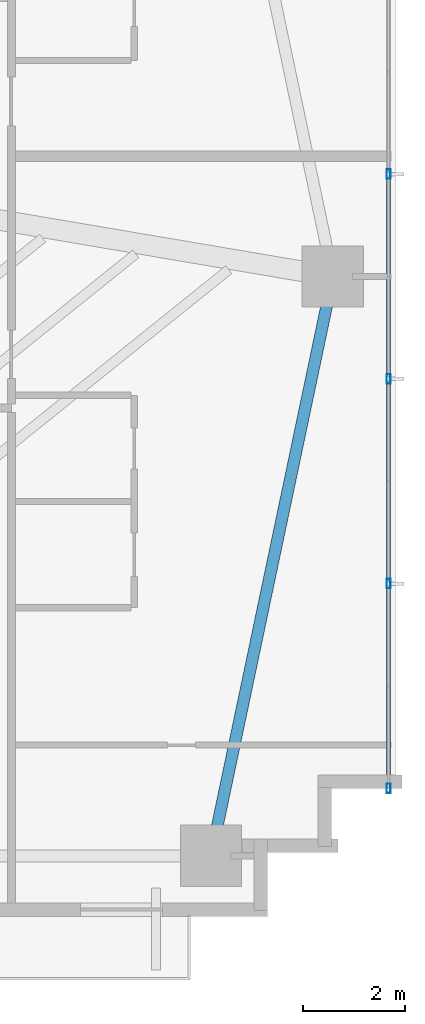
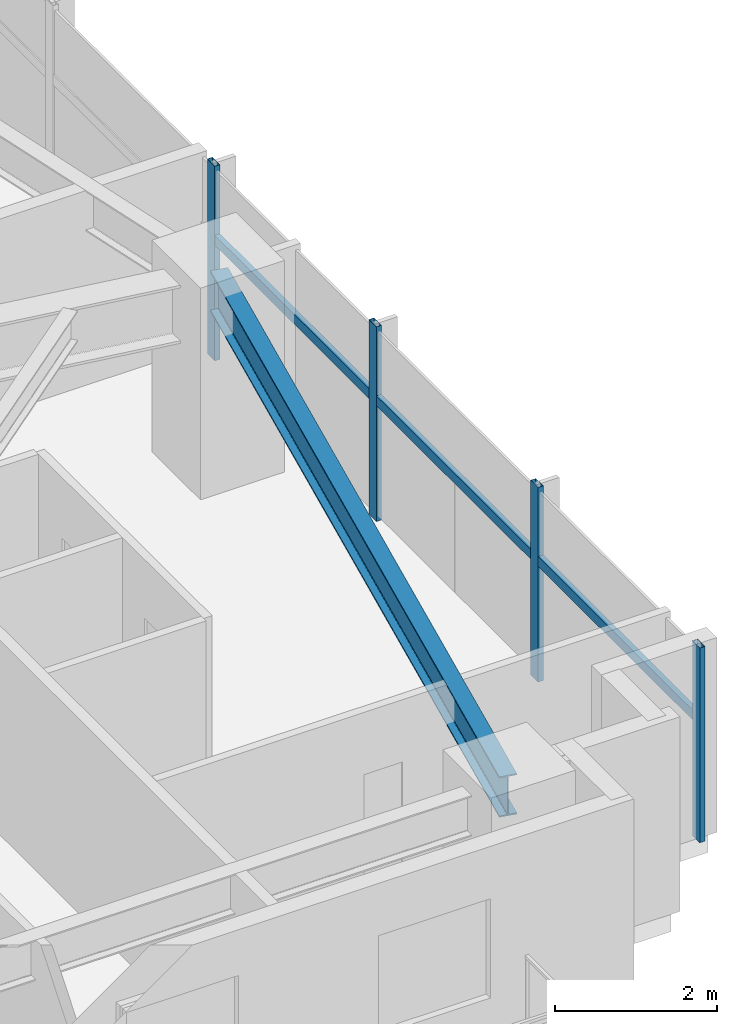
# One storey, part 14 of 25: 7 members, 1 beam, 1 element without a shape of its own.
"""IFC4 building model written with IfcOpenShell, lengths in metres."""

import ifcopenshell
import ifcopenshell.guid

model = None  # the IFC model being written
_history = None  # IfcOwnerHistory: only IFC2X3 demands one
_inside = {}  # id of a spatial element -> (the spatial element, [elements in it])
_under = {}  # id of a project, library or spatial element -> (it, [spatial elements below it])
_declared = {}  # id of a project -> (the project, [libraries it declares])
_typed = {}  # id of a type object -> (the type object, [elements of that type])
_made_of = {}  # id of a material, layer set ... -> (it, [elements and type objects made of it])


def new_model(schema):
    """Start an empty IFC model of exactly this schema.

    Asked for "IFC4X3", IfcOpenShell would pick the latest addendum, in which some entities
    have other attributes; the version numbers below select the first issue.
    IFC2X3 requires an IfcOwnerHistory on every rooted entity: one is made here for all.
    """
    global model, _history
    if schema == "IFC4X3":
        model = ifcopenshell.file(schema_version=(4, 3, 0, 0))
    else:
        model = ifcopenshell.file(schema=schema)
    _inside.clear()
    _under.clear()
    _declared.clear()
    _typed.clear()
    _made_of.clear()
    _history = None
    if model.schema == "IFC2X3":
        org = make("IfcOrganization", Name="unknown")
        user = make(
            "IfcPersonAndOrganization",
            ThePerson=make("IfcPerson", FamilyName="unknown"),
            TheOrganization=org,
        )
        app = make(
            "IfcApplication",
            ApplicationDeveloper=org,
            Version="unknown",
            ApplicationFullName="unknown",
            ApplicationIdentifier="unknown",
        )
        _history = make(
            "IfcOwnerHistory",
            OwningUser=user,
            OwningApplication=app,
            ChangeAction="ADDED",
            CreationDate=0,
        )
    return model


def make(cls, **values):
    """One entity of the class cls with the attributes given. An attribute that is None is left unset."""
    return model.create_entity(
        cls, **{name: value for name, value in values.items() if value is not None}
    )


def rooted(cls, **values):
    """An entity with a GlobalId (a new one), such as an element, a storey or a relation."""
    return make(cls, GlobalId=ifcopenshell.guid.new(), OwnerHistory=_history, **values)


def si_unit(unit_type, name, prefix=None):
    """IfcSIUnit, for example si_unit("LENGTHUNIT", "METRE", prefix="MILLI")."""
    return make("IfcSIUnit", UnitType=unit_type, Prefix=prefix, Name=name)


def assignment(units):
    """IfcUnitAssignment: the units of a project."""
    return None if units is None else make("IfcUnitAssignment", Units=units)


def point(xyz):
    """IfcCartesianPoint."""
    return None if xyz is None else make("IfcCartesianPoint", Coordinates=xyz)


def direction(xyz):
    """IfcDirection."""
    return None if xyz is None else make("IfcDirection", DirectionRatios=xyz)


def frame(location, z_axis=None, x_axis=None):
    """IfcAxis2Placement3D, a coordinate frame: its origin and axes. An axis left out is left unset."""
    return make(
        "IfcAxis2Placement3D",
        Location=point(location),
        Axis=direction(z_axis),
        RefDirection=direction(x_axis),
    )


def frame_2d(location, x_axis=None):
    """IfcAxis2Placement2D, a coordinate frame in the plane: its origin and x axis."""
    return make(
        "IfcAxis2Placement2D", Location=point(location), RefDirection=direction(x_axis)
    )


def origin():
    """The frame at (0, 0, 0) with its axes left unset."""
    return frame((0.0, 0.0, 0.0))


def origin_2d():
    """The frame at (0, 0) in the plane with its x axis left unset."""
    return frame_2d((0.0, 0.0))


def place(relative_to, where):
    """IfcLocalPlacement: puts the frame where relative to a parent placement (None: the world)."""
    return make(
        "IfcLocalPlacement", PlacementRelTo=relative_to, RelativePlacement=where
    )


def context(
    kind, dimensions, precision=None, world=None, true_north=None, identifier=None
):
    """IfcGeometricRepresentationContext, for example the 3D "Model" context."""
    return make(
        "IfcGeometricRepresentationContext",
        ContextIdentifier=identifier,
        ContextType=kind,
        CoordinateSpaceDimension=dimensions,
        Precision=precision,
        WorldCoordinateSystem=world,
        TrueNorth=true_north,
    )


def subcontext(parent, identifier, kind, view, scale=None):
    """IfcGeometricRepresentationSubContext, for example "Body" below "Model"."""
    return make(
        "IfcGeometricRepresentationSubContext",
        ContextIdentifier=identifier,
        ContextType=kind,
        ParentContext=parent,
        TargetScale=scale,
        TargetView=view,
    )


def project(units=None, contexts=None):
    """IfcProject with its units and contexts."""
    return rooted(
        "IfcProject",
        Name="project",
        RepresentationContexts=contexts,
        UnitsInContext=assignment(units),
    )


def spatial(cls, under=None, at=None, **own):
    """A site, building, storey or space (cls), placed at a placement, below another one or the project."""
    s = rooted(cls, ObjectPlacement=at, **own)
    if under is not None:
        _under.setdefault(under.id(), (under, []))[1].append(s)
    return s


def profile(cls, at=None, kind="AREA", **sizes):
    """A parametric profile (cls). Its sizes go by their IFC names, for example OverallWidth=200.0."""
    return make(cls, ProfileType=kind, Position=at, **sizes)


def hollow_rectangle(**sizes):
    """IfcRectangleHollowProfileDef."""
    return profile("IfcRectangleHollowProfileDef", **sizes)


def i_section(**sizes):
    """IfcIShapeProfileDef."""
    return profile("IfcIShapeProfileDef", **sizes)


def extrude(swept, where, along, depth):
    """IfcExtrudedAreaSolid: the profile swept, set in the frame where, extruded along a direction by depth."""
    return make(
        "IfcExtrudedAreaSolid",
        SweptArea=swept,
        Position=where,
        ExtrudedDirection=direction(along),
        Depth=depth,
    )


def shape(context_of_items, identifier, shape_type, items):
    """IfcShapeRepresentation: the items that make up one representation, for example the "Body"."""
    return make(
        "IfcShapeRepresentation",
        ContextOfItems=context_of_items,
        RepresentationIdentifier=identifier,
        RepresentationType=shape_type,
        Items=items,
    )


def source(mapping_origin, context_of_items, identifier, shape_type, items):
    """IfcRepresentationMap: a shape defined once, which mapped items show again and again."""
    return make(
        "IfcRepresentationMap",
        MappingOrigin=mapping_origin,
        MappedRepresentation=shape(context_of_items, identifier, shape_type, items),
    )


def transform(
    local_origin,
    x_axis=None,
    y_axis=None,
    z_axis=None,
    scale=None,
    scale2=None,
    scale3=None,
    uniform=True,
):
    """IfcCartesianTransformationOperator3D, or its non-uniform kind. x_axis, y_axis, z_axis: its Axis1, 2, 3."""
    if uniform:
        return make(
            "IfcCartesianTransformationOperator3D",
            Axis1=direction(x_axis),
            Axis2=direction(y_axis),
            LocalOrigin=point(local_origin),
            Scale=scale,
            Axis3=direction(z_axis),
        )
    return make(
        "IfcCartesianTransformationOperator3DnonUniform",
        Axis1=direction(x_axis),
        Axis2=direction(y_axis),
        LocalOrigin=point(local_origin),
        Scale=scale,
        Axis3=direction(z_axis),
        Scale2=scale2,
        Scale3=scale3,
    )


def mapped(mapping_source, mapping_target):
    """IfcMappedItem: shows the shape of a source again, moved by a transform."""
    return make(
        "IfcMappedItem", MappingSource=mapping_source, MappingTarget=mapping_target
    )


def material(Name=None, Category=None):
    """IfcMaterial."""
    return make("IfcMaterial", Name=Name, Category=Category)


def material_profile(
    of_material, cross_section, Name=None, Category=None, Priority=None
):
    """IfcMaterialProfile: a cross section and its material."""
    return make(
        "IfcMaterialProfile",
        Name=Name,
        Material=of_material,
        Profile=cross_section,
        Priority=Priority,
        Category=Category,
    )


def profile_set(profiles, Name=None, composite=None):
    """IfcMaterialProfileSet."""
    return make(
        "IfcMaterialProfileSet",
        Name=Name,
        MaterialProfiles=profiles,
        CompositeProfile=composite,
    )


def made_of(thing, what):
    """Note that an element or type object is made of a material, layer set ...; save() writes the relation."""
    if what is not None:
        _made_of.setdefault(what.id(), (what, []))[1].append(thing)
    return thing


def type_object(cls, material=None, **own):
    """A type object (cls), such as IfcWallType, which elements share."""
    return made_of(rooted(cls, **own), material)


def type_shapes(of_type, sources):
    """Give a type object the sources (RepresentationMaps) that its elements show as mapped items."""
    of_type.RepresentationMaps = sources


def element(
    cls,
    number,
    at=None,
    inside=None,
    cuts=None,
    type_object=None,
    material=None,
    context=None,
    identifier="Body",
    shape_type=None,
    held_by="IfcProductDefinitionShape",
    body=None,
    shapes=None,
    **own,
):
    """One element of the class cls, such as IfcWall. Its Tag is "e" and its number.

    at: its placement. inside: the storey or other place that contains it. cuts: it is an
    opening in that element (IfcRelVoidsElement). A single representation is given by context,
    identifier, shape_type and body (its items); several are given by shapes. held_by: the class
    of the entity that holds the representations. save() writes the other relations.
    """
    e = rooted(cls, Tag="e%d" % number, ObjectPlacement=at, **own)
    if body is not None:
        shapes = [shape(context, identifier, shape_type, body)]
    if shapes is not None:
        e.Representation = make(held_by, Representations=shapes)
    if inside is not None:
        _inside.setdefault(inside.id(), (inside, []))[1].append(e)
    if cuts is not None:
        rooted(
            "IfcRelVoidsElement", RelatingBuildingElement=cuts, RelatedOpeningElement=e
        )
    if type_object is not None:
        _typed.setdefault(type_object.id(), (type_object, []))[1].append(e)
    return made_of(e, material)


def aggregate(whole, parts):
    """IfcRelAggregates: a whole, such as a stair, and the parts it consists of."""
    return rooted("IfcRelAggregates", RelatingObject=whole, RelatedObjects=parts)


def save(model, path):
    """Write the relations noted so far, then the file.

    IfcRelAggregates (storeys below a building ...), IfcRelContainedInSpatialStructure (elements
    in a storey), IfcRelDefinesByType, IfcRelAssociatesMaterial and IfcRelDeclares: one each for
    every whole, place, type object, material and project.
    """
    for whole, parts in _under.values():
        aggregate(whole, parts)
    for where, things in _inside.values():
        rooted(
            "IfcRelContainedInSpatialStructure",
            RelatedElements=things,
            RelatingStructure=where,
        )
    for kind, things in _typed.values():
        rooted("IfcRelDefinesByType", RelatedObjects=things, RelatingType=kind)
    for what, things in _made_of.values():
        rooted("IfcRelAssociatesMaterial", RelatedObjects=things, RelatingMaterial=what)
    for by, libraries in _declared.values():
        rooted("IfcRelDeclares", RelatingContext=by, RelatedDefinitions=libraries)
    model.write(path)


model = new_model("IFC4")

# Units and contexts
model_context = context("Model", 3, precision=1e-05, world=origin(), true_north=direction((0.0, 1.0)))
body_context = subcontext(model_context, "Body", "Model", "MODEL_VIEW")
ifc_project = project(units=[si_unit("LENGTHUNIT", "METRE"), si_unit("AREAUNIT", "SQUARE_METRE"), si_unit("VOLUMEUNIT", "CUBIC_METRE"), si_unit("PLANEANGLEUNIT", "RADIAN"), si_unit("MASSUNIT", "GRAM", prefix="KILO")], contexts=[model_context])

# Site, building, storey
site_placement = place(None, origin())
site = spatial("IfcSite", under=ifc_project, at=site_placement, CompositionType="ELEMENT")
building_placement = place(site_placement, origin())
building = spatial("IfcBuilding", under=site, at=building_placement, Name="Astriad Promenade Condominiums", CompositionType="ELEMENT")
storey_placement = place(building_placement, frame((0.0, 0.0, 42.199951171875)))
storey = spatial("IfcBuildingStorey", under=building, at=storey_placement, Name="L11", CompositionType="ELEMENT", Elevation=42.199951171875)

# Beam
ifc_material_1 = material(Name="Steel ASTM A992 Grade 50", Category="steel")
ifc_material_profile_1 = material_profile(ifc_material_1, i_section(OverallWidth=0.22900390625, OverallDepth=0.612060546875, WebThickness=0.011962890625, FlangeThickness=0.01953125, FilletRadius=0.017822265625, at=origin_2d()), Name="W24X84")
ifc_profile_set_1 = profile_set([ifc_material_profile_1], Name="Steel ASTM A992 Grade 50")
beam_type = type_object("IfcBeamType", Name="STEEL SPANDREL BEAM W24X84", PredefinedType="SPANDREL", material=ifc_profile_set_1)
shared_shape_1 = source(origin(), body_context, "Body", "SweptSolid", [
    extrude(i_section(OverallWidth=0.22900390625, OverallDepth=0.612060546875, WebThickness=0.011962890625, FlangeThickness=0.01953125, FilletRadius=0.017822265625, at=origin_2d()), origin(), (0.0, 0.0, 1.0), 11.487548828125),
])
type_shapes(beam_type, [shared_shape_1])
beam_placement = place(storey_placement, frame((56.208251953125, 3.919189453125, 2.634033203125), z_axis=(0.205748055501, 0.978604995725, 0.0), x_axis=(-0.978604995725, 0.205748055501, 0.0)))
element("IfcBeam", 1, at=beam_placement, inside=storey, type_object=beam_type, Name="Perimeter Spandrel Beam SP-E1-L11", PredefinedType="SPANDREL", context=body_context, shape_type="MappedRepresentation", body=[
    mapped(shared_shape_1, transform((0.0, 0.0, 0.0), scale=1.0)),
])

# Curtain wall, members
ifc_material_2 = material(Name="Anodised aluminium Black Dark Glass Unitised", Category="aluminium")
curtain_wall_type = type_object("IfcCurtainWallType", Name="CW-B1-DARK", PredefinedType="USERDEFINED", material=ifc_material_2)
curtain_wall_placement = place(storey_placement, origin())
curtain_wall = element("IfcCurtainWall", 2, at=curtain_wall_placement, inside=storey, type_object=curtain_wall_type, Name="CW-L11-E", ObjectType="UNITISED_CURTAIN_WALL", PredefinedType="USERDEFINED")
ifc_material_3 = material(Name="Anodised aluminium 6063-T6 Black", Category="aluminium")
ifc_material_profile_2 = material_profile(ifc_material_3, hollow_rectangle(XDim=0.074951171875, YDim=0.18505859375, WallThickness=0.00439453125, at=origin_2d()), Name="ALU-MUL-75X185")
ifc_profile_set_2 = profile_set([ifc_material_profile_2], Name="Anodised aluminium 6063-T6 Black")
member_type_1 = type_object("IfcMemberType", Name="MUL-ALU-MUL-75X185", PredefinedType="MULLION", material=ifc_profile_set_2)
shared_shape_2 = source(origin(), body_context, "Body", "SweptSolid", [
    extrude(hollow_rectangle(XDim=0.074951171875, YDim=0.18505859375, WallThickness=0.00439453125, at=origin_2d()), origin(), (0.0, 0.0, 1.0), 2.93994140625),
])
type_shapes(member_type_1, [shared_shape_2])
member_1_placement = place(storey_placement, frame((59.669921875, 17.199951171875, 0.0), z_axis=(0.0, 0.0, 1.0), x_axis=(1.0, 0.0, 0.0)))
member_1 = element("IfcMember", 3, at=member_1_placement, type_object=member_type_1, Name="CW-L11-E-MUL-02", PredefinedType="MULLION", context=body_context, shape_type="MappedRepresentation", body=[
    mapped(shared_shape_2, transform((0.0, 0.0, 0.0), scale=1.0)),
])
member_2_placement = place(storey_placement, frame((59.669921875, 13.199951171875, 0.0), z_axis=(0.0, 0.0, 1.0), x_axis=(1.0, 0.0, 0.0)))
member_2 = element("IfcMember", 4, at=member_2_placement, type_object=member_type_1, Name="CW-L11-E-MUL-03", PredefinedType="MULLION", context=body_context, shape_type="MappedRepresentation", body=[
    mapped(shared_shape_2, transform((0.0, 0.0, 0.0), scale=1.0)),
])
member_3_placement = place(storey_placement, frame((59.669921875, 9.199951171875, 0.0), z_axis=(0.0, 0.0, 1.0), x_axis=(1.0, 0.0, 0.0)))
member_3 = element("IfcMember", 5, at=member_3_placement, type_object=member_type_1, Name="CW-L11-E-MUL-04", PredefinedType="MULLION", context=body_context, shape_type="MappedRepresentation", body=[
    mapped(shared_shape_2, transform((0.0, 0.0, 0.0), scale=1.0)),
])
member_4_placement = place(storey_placement, frame((59.669921875, 5.199951171875, 0.0), z_axis=(0.0, 0.0, 1.0), x_axis=(1.0, 0.0, 0.0)))
member_4 = element("IfcMember", 6, at=member_4_placement, type_object=member_type_1, Name="CW-L11-E-MUL-05", PredefinedType="MULLION", context=body_context, shape_type="MappedRepresentation", body=[
    mapped(shared_shape_2, transform((0.0, 0.0, 0.0), scale=1.0)),
])
ifc_material_profile_3 = material_profile(ifc_material_3, hollow_rectangle(XDim=0.074951171875, YDim=0.14990234375, WallThickness=0.004150390625, at=origin_2d()), Name="ALU-TRN-75X150")
ifc_profile_set_3 = profile_set([ifc_material_profile_3], Name="Anodised aluminium 6063-T6 Black")
member_type_2 = type_object("IfcMemberType", Name="TRN-ALU-TRN-75X150", PredefinedType="USERDEFINED", material=ifc_profile_set_3)
shared_shape_3 = source(origin(), body_context, "Body", "SweptSolid", [
    extrude(hollow_rectangle(XDim=0.074951171875, YDim=0.14990234375, WallThickness=0.004150390625, at=origin_2d()), origin(), (0.0, 0.0, 1.0), 4.0),
])
type_shapes(member_type_2, [shared_shape_3])
member_5_placement = place(storey_placement, frame((59.669921875, 17.199951171875, 1.82275390625), z_axis=(0.0, -1.0, 0.0), x_axis=(1.0, 0.0, 0.0)))
member_5 = element("IfcMember", 7, at=member_5_placement, type_object=member_type_2, Name="CW-L11-E-TRN-02-0", ObjectType="TRANSOM", PredefinedType="USERDEFINED", context=body_context, shape_type="MappedRepresentation", body=[
    mapped(shared_shape_3, transform((0.0, 0.0, 0.0), scale=1.0)),
])
member_6_placement = place(storey_placement, frame((59.669921875, 13.199951171875, 1.82275390625), z_axis=(0.0, -1.0, 0.0), x_axis=(1.0, 0.0, 0.0)))
member_6 = element("IfcMember", 8, at=member_6_placement, type_object=member_type_2, Name="CW-L11-E-TRN-03-0", ObjectType="TRANSOM", PredefinedType="USERDEFINED", context=body_context, shape_type="MappedRepresentation", body=[
    mapped(shared_shape_3, transform((0.0, 0.0, 0.0), scale=1.0)),
])
member_7_placement = place(storey_placement, frame((59.669921875, 9.199951171875, 1.82275390625), z_axis=(0.0, -1.0, 0.0), x_axis=(1.0, 0.0, 0.0)))
member_7 = element("IfcMember", 9, at=member_7_placement, type_object=member_type_2, Name="CW-L11-E-TRN-04-0", ObjectType="TRANSOM", PredefinedType="USERDEFINED", context=body_context, shape_type="MappedRepresentation", body=[
    mapped(shared_shape_3, transform((0.0, 0.0, 0.0), scale=1.0)),
])
aggregate(curtain_wall, [member_1, member_2, member_3, member_4, member_5, member_6, member_7])

save(model, "model.ifc")
